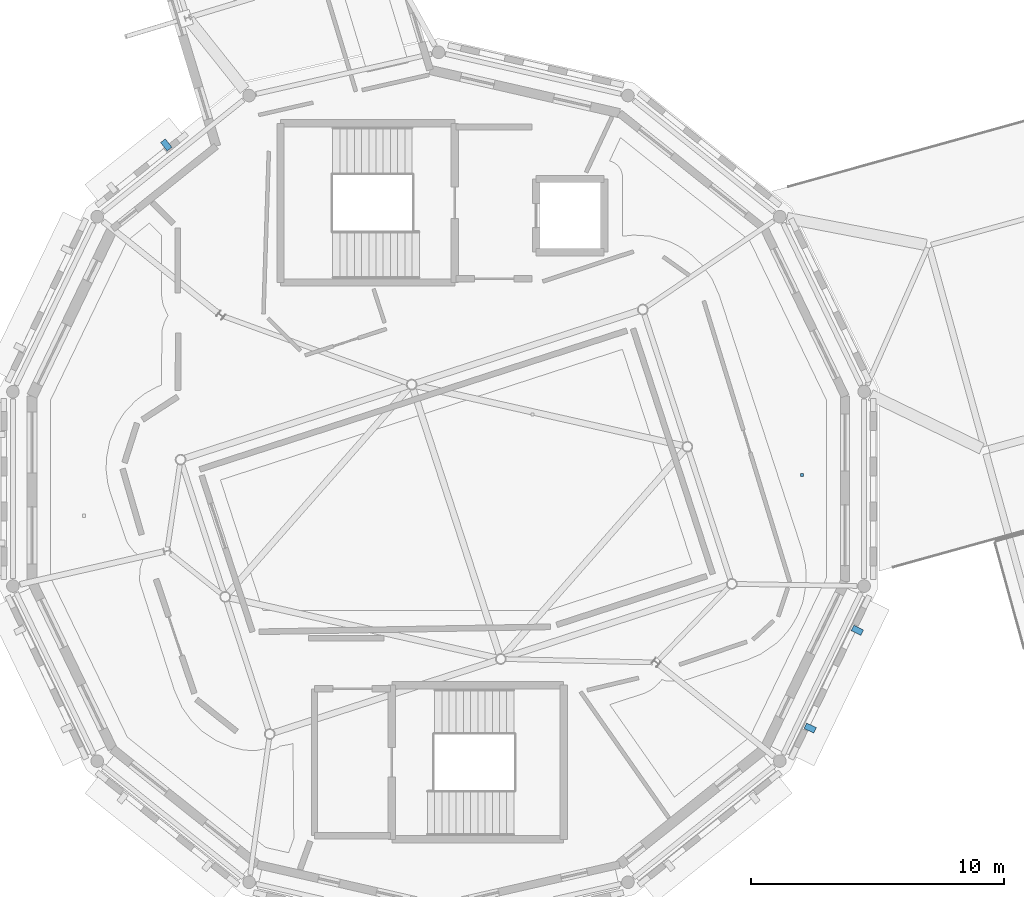
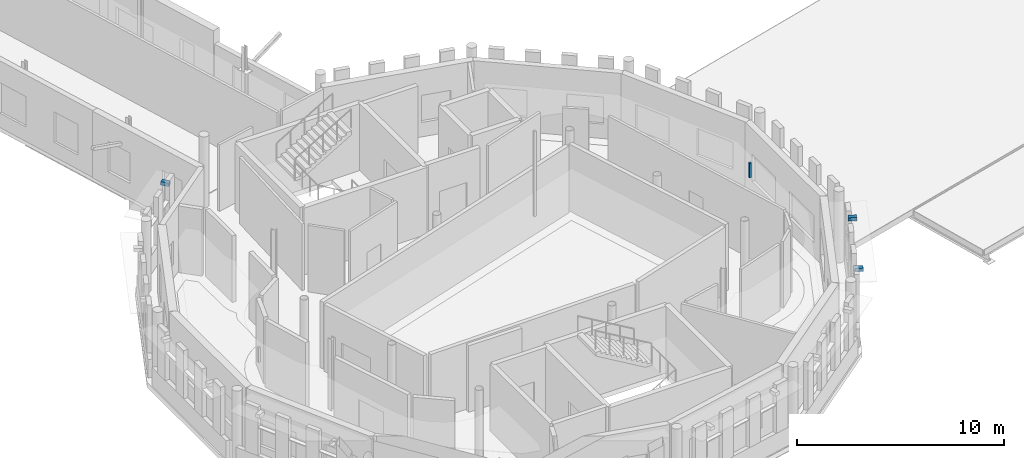
# One storey, part 77 of 90: 4 discrete accessories.
"""IFC4 building model written with IfcOpenShell, lengths in metres."""

import ifcopenshell
import ifcopenshell.guid

model = None  # the IFC model being written
_history = None  # IfcOwnerHistory: only IFC2X3 demands one
_inside = {}  # id of a spatial element -> (the spatial element, [elements in it])
_under = {}  # id of a project, library or spatial element -> (it, [spatial elements below it])
_declared = {}  # id of a project -> (the project, [libraries it declares])
_typed = {}  # id of a type object -> (the type object, [elements of that type])
_made_of = {}  # id of a material, layer set ... -> (it, [elements and type objects made of it])


def new_model(schema):
    """Start an empty IFC model of exactly this schema.

    Asked for "IFC4X3", IfcOpenShell would pick the latest addendum, in which some entities
    have other attributes; the version numbers below select the first issue.
    IFC2X3 requires an IfcOwnerHistory on every rooted entity: one is made here for all.
    """
    global model, _history
    if schema == "IFC4X3":
        model = ifcopenshell.file(schema_version=(4, 3, 0, 0))
    else:
        model = ifcopenshell.file(schema=schema)
    _inside.clear()
    _under.clear()
    _declared.clear()
    _typed.clear()
    _made_of.clear()
    _history = None
    if model.schema == "IFC2X3":
        org = make("IfcOrganization", Name="unknown")
        user = make(
            "IfcPersonAndOrganization",
            ThePerson=make("IfcPerson", FamilyName="unknown"),
            TheOrganization=org,
        )
        app = make(
            "IfcApplication",
            ApplicationDeveloper=org,
            Version="unknown",
            ApplicationFullName="unknown",
            ApplicationIdentifier="unknown",
        )
        _history = make(
            "IfcOwnerHistory",
            OwningUser=user,
            OwningApplication=app,
            ChangeAction="ADDED",
            CreationDate=0,
        )
    return model


def make(cls, **values):
    """One entity of the class cls with the attributes given. An attribute that is None is left unset."""
    return model.create_entity(
        cls, **{name: value for name, value in values.items() if value is not None}
    )


def rooted(cls, **values):
    """An entity with a GlobalId (a new one), such as an element, a storey or a relation."""
    return make(cls, GlobalId=ifcopenshell.guid.new(), OwnerHistory=_history, **values)


def si_unit(unit_type, name, prefix=None):
    """IfcSIUnit, for example si_unit("LENGTHUNIT", "METRE", prefix="MILLI")."""
    return make("IfcSIUnit", UnitType=unit_type, Prefix=prefix, Name=name)


def assignment(units):
    """IfcUnitAssignment: the units of a project."""
    return None if units is None else make("IfcUnitAssignment", Units=units)


def point(xyz):
    """IfcCartesianPoint."""
    return None if xyz is None else make("IfcCartesianPoint", Coordinates=xyz)


def direction(xyz):
    """IfcDirection."""
    return None if xyz is None else make("IfcDirection", DirectionRatios=xyz)


def frame(location, z_axis=None, x_axis=None):
    """IfcAxis2Placement3D, a coordinate frame: its origin and axes. An axis left out is left unset."""
    return make(
        "IfcAxis2Placement3D",
        Location=point(location),
        Axis=direction(z_axis),
        RefDirection=direction(x_axis),
    )


def frame_2d(location, x_axis=None):
    """IfcAxis2Placement2D, a coordinate frame in the plane: its origin and x axis."""
    return make(
        "IfcAxis2Placement2D", Location=point(location), RefDirection=direction(x_axis)
    )


def origin():
    """The frame at (0, 0, 0) with its axes left unset."""
    return frame((0.0, 0.0, 0.0))


def origin_2d():
    """The frame at (0, 0) in the plane with its x axis left unset."""
    return frame_2d((0.0, 0.0))


def place(relative_to, where):
    """IfcLocalPlacement: puts the frame where relative to a parent placement (None: the world)."""
    return make(
        "IfcLocalPlacement", PlacementRelTo=relative_to, RelativePlacement=where
    )


def context(
    kind, dimensions, precision=None, world=None, true_north=None, identifier=None
):
    """IfcGeometricRepresentationContext, for example the 3D "Model" context."""
    return make(
        "IfcGeometricRepresentationContext",
        ContextIdentifier=identifier,
        ContextType=kind,
        CoordinateSpaceDimension=dimensions,
        Precision=precision,
        WorldCoordinateSystem=world,
        TrueNorth=true_north,
    )


def subcontext(parent, identifier, kind, view, scale=None):
    """IfcGeometricRepresentationSubContext, for example "Body" below "Model"."""
    return make(
        "IfcGeometricRepresentationSubContext",
        ContextIdentifier=identifier,
        ContextType=kind,
        ParentContext=parent,
        TargetScale=scale,
        TargetView=view,
    )


def project(units=None, contexts=None):
    """IfcProject with its units and contexts."""
    return rooted(
        "IfcProject",
        Name="project",
        RepresentationContexts=contexts,
        UnitsInContext=assignment(units),
    )


def spatial(cls, under=None, at=None, **own):
    """A site, building, storey or space (cls), placed at a placement, below another one or the project."""
    s = rooted(cls, ObjectPlacement=at, **own)
    if under is not None:
        _under.setdefault(under.id(), (under, []))[1].append(s)
    return s


def profile(cls, at=None, kind="AREA", **sizes):
    """A parametric profile (cls). Its sizes go by their IFC names, for example OverallWidth=200.0."""
    return make(cls, ProfileType=kind, Position=at, **sizes)


def rectangle(**sizes):
    """IfcRectangleProfileDef."""
    return profile("IfcRectangleProfileDef", **sizes)


def extrude(swept, where, along, depth):
    """IfcExtrudedAreaSolid: the profile swept, set in the frame where, extruded along a direction by depth."""
    return make(
        "IfcExtrudedAreaSolid",
        SweptArea=swept,
        Position=where,
        ExtrudedDirection=direction(along),
        Depth=depth,
    )


def shape(context_of_items, identifier, shape_type, items):
    """IfcShapeRepresentation: the items that make up one representation, for example the "Body"."""
    return make(
        "IfcShapeRepresentation",
        ContextOfItems=context_of_items,
        RepresentationIdentifier=identifier,
        RepresentationType=shape_type,
        Items=items,
    )


def material(Name=None, Category=None):
    """IfcMaterial."""
    return make("IfcMaterial", Name=Name, Category=Category)


def made_of(thing, what):
    """Note that an element or type object is made of a material, layer set ...; save() writes the relation."""
    if what is not None:
        _made_of.setdefault(what.id(), (what, []))[1].append(thing)
    return thing


def type_object(cls, material=None, **own):
    """A type object (cls), such as IfcWallType, which elements share."""
    return made_of(rooted(cls, **own), material)


def element(
    cls,
    number,
    at=None,
    inside=None,
    cuts=None,
    type_object=None,
    material=None,
    context=None,
    identifier="Body",
    shape_type=None,
    held_by="IfcProductDefinitionShape",
    body=None,
    shapes=None,
    **own,
):
    """One element of the class cls, such as IfcWall. Its Tag is "e" and its number.

    at: its placement. inside: the storey or other place that contains it. cuts: it is an
    opening in that element (IfcRelVoidsElement). A single representation is given by context,
    identifier, shape_type and body (its items); several are given by shapes. held_by: the class
    of the entity that holds the representations. save() writes the other relations.
    """
    e = rooted(cls, Tag="e%d" % number, ObjectPlacement=at, **own)
    if body is not None:
        shapes = [shape(context, identifier, shape_type, body)]
    if shapes is not None:
        e.Representation = make(held_by, Representations=shapes)
    if inside is not None:
        _inside.setdefault(inside.id(), (inside, []))[1].append(e)
    if cuts is not None:
        rooted(
            "IfcRelVoidsElement", RelatingBuildingElement=cuts, RelatedOpeningElement=e
        )
    if type_object is not None:
        _typed.setdefault(type_object.id(), (type_object, []))[1].append(e)
    return made_of(e, material)


def aggregate(whole, parts):
    """IfcRelAggregates: a whole, such as a stair, and the parts it consists of."""
    return rooted("IfcRelAggregates", RelatingObject=whole, RelatedObjects=parts)


def save(model, path):
    """Write the relations noted so far, then the file.

    IfcRelAggregates (storeys below a building ...), IfcRelContainedInSpatialStructure (elements
    in a storey), IfcRelDefinesByType, IfcRelAssociatesMaterial and IfcRelDeclares: one each for
    every whole, place, type object, material and project.
    """
    for whole, parts in _under.values():
        aggregate(whole, parts)
    for where, things in _inside.values():
        rooted(
            "IfcRelContainedInSpatialStructure",
            RelatedElements=things,
            RelatingStructure=where,
        )
    for kind, things in _typed.values():
        rooted("IfcRelDefinesByType", RelatedObjects=things, RelatingType=kind)
    for what, things in _made_of.values():
        rooted("IfcRelAssociatesMaterial", RelatedObjects=things, RelatingMaterial=what)
    for by, libraries in _declared.values():
        rooted("IfcRelDeclares", RelatingContext=by, RelatedDefinitions=libraries)
    model.write(path)


model = new_model("IFC4")

# Units and contexts
model_context = context("Model", 3, precision=1e-05, world=origin(), true_north=direction((0.0, 1.0)))
body_context = subcontext(model_context, "Body", "Model", "MODEL_VIEW")
ifc_project = project(units=[si_unit("LENGTHUNIT", "METRE"), si_unit("AREAUNIT", "SQUARE_METRE"), si_unit("VOLUMEUNIT", "CUBIC_METRE"), si_unit("PLANEANGLEUNIT", "RADIAN"), si_unit("MASSUNIT", "GRAM", prefix="KILO")], contexts=[model_context])

# Site, building, storey
site_placement = place(None, origin())
site = spatial("IfcSite", under=ifc_project, at=site_placement, CompositionType="ELEMENT")
building_placement = place(site_placement, origin())
building = spatial("IfcBuilding", under=site, at=building_placement, Name="Wrenclough Park School", CompositionType="ELEMENT")
storey_placement = place(building_placement, frame((0.0, 0.0, 8.39990234375)))
storey = spatial("IfcBuildingStorey", under=building, at=storey_placement, Name="L02", CompositionType="ELEMENT", Elevation=8.39990234375)

# Discrete accessories
ifc_material_1 = material(Name="Austenitic stainless steel Grade 1.4401", Category="steel")
discrete_accessory_type_1 = type_object("IfcDiscreteAccessoryType", Name="ENV-BRK-01", PredefinedType="BRACKET", material=ifc_material_1)
for number, where, z_axis, x_axis, name in (
    (1, (25.741943359375, 37.091552734375, 3.5400390625), (0.0, 0.0, 1.0), (-0.781831365405, -0.623489948652, 0.0), "Brise-soleil stainless outrigger bracket 0099"),
    (2, (51.18701171875, 14.0478515625, 3.5400390625), (0.0, 0.0, 1.0), (0.433872409166, 0.900974324032, 0.0), "Brise-soleil stainless outrigger bracket 0115"),
    (3, (53.047607421875, 17.91162109375, 3.5400390625), (0.0, 0.0, 1.0), (0.433872409166, 0.900974324032, 0.0), "Brise-soleil stainless outrigger bracket 0116"),
):
    element("IfcDiscreteAccessory", number, at=place(storey_placement, frame(where, z_axis=z_axis, x_axis=x_axis)), inside=storey, type_object=discrete_accessory_type_1, Name=name, PredefinedType="BRACKET", context=body_context, shape_type="SweptSolid", body=[
        extrude(rectangle(XDim=0.239990234375, YDim=0.419921875, at=origin_2d()), origin(), (0.0, 0.0, 1.0), 0.199951171875),
    ])
ifc_material_2 = material(Name="Galvanised steel acoustic ceiling suspension hanger", Category="steel")
discrete_accessory_type_2 = type_object("IfcDiscreteAccessoryType", Name="INT-BRK-HGR", PredefinedType="BRACKET", material=ifc_material_2)
discrete_accessory_placement = place(storey_placement, frame((50.8681640625, 24.042236328125, 3.09033203125), z_axis=(0.0, 0.0, 1.0), x_axis=(1.0, 0.0, 0.0)))
element("IfcDiscreteAccessory", 4, at=discrete_accessory_placement, inside=storey, type_object=discrete_accessory_type_2, Name="Acoustic ceiling hanger bracket 0050", PredefinedType="BRACKET", context=body_context, shape_type="SweptSolid", body=[
    extrude(rectangle(XDim=0.1201171875, YDim=0.1201171875, at=origin_2d()), origin(), (0.0, 0.0, 1.0), 0.864990234375),
])

save(model, "model.ifc")
